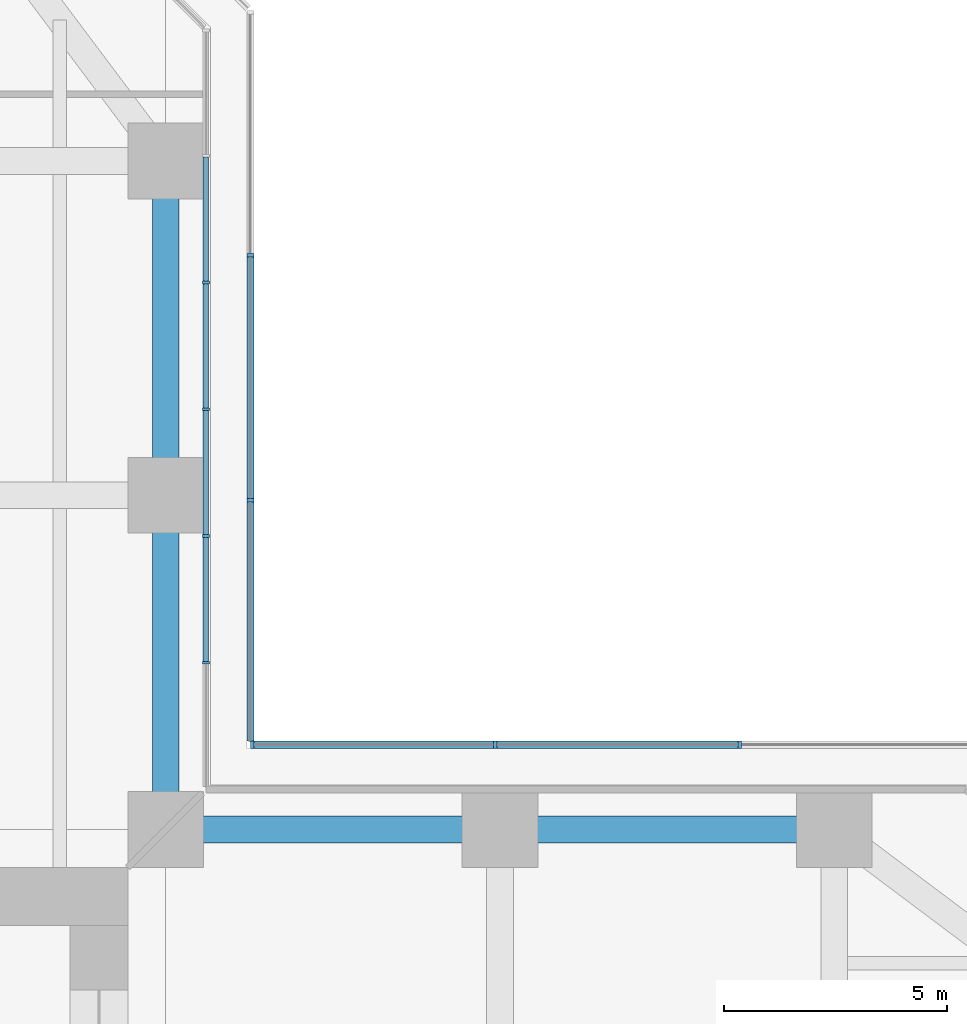
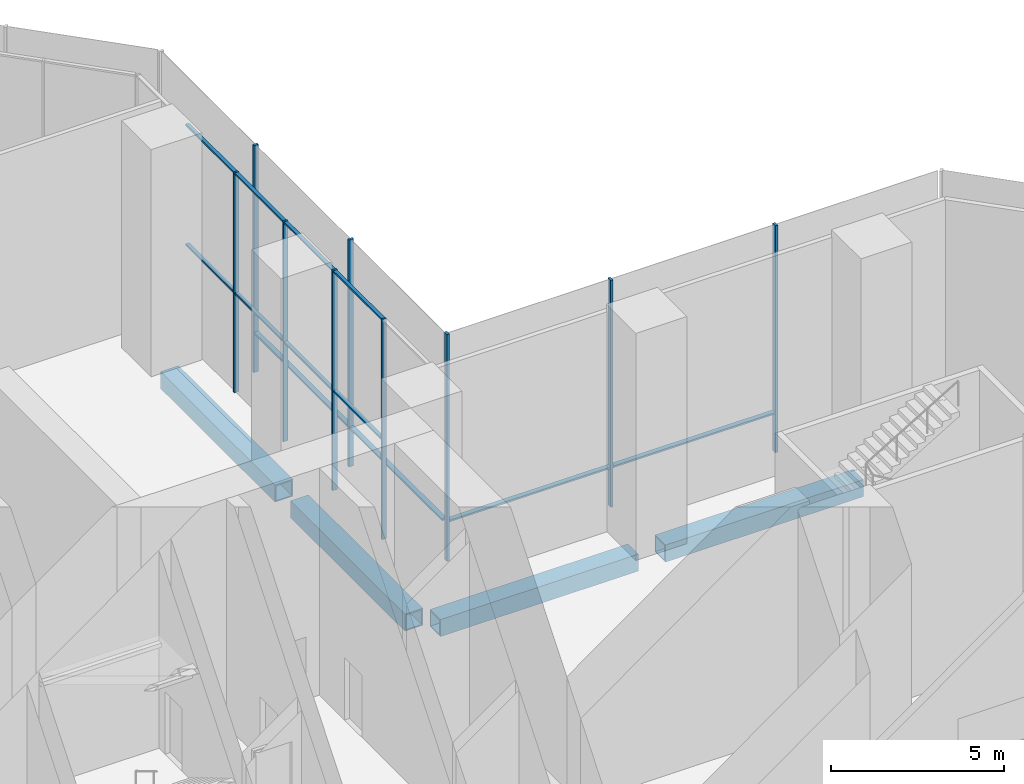
# One storey, part 10 of 25: 21 members, 4 beams, 3 elements without a shape of their own.
"""IFC4 building model written with IfcOpenShell, lengths in metres."""

from ifc_helpers import new_model, si_unit, direction, frame, origin, origin_2d, place, context, subcontext, project, spatial, rectangle, hollow_rectangle, extrude, material, material_profile, profile_set, type_object, element, aggregate, save


model = new_model("IFC4")

# Units and contexts
model_context = context("Model", 3, precision=1e-05, world=origin(), true_north=direction((0.0, 1.0)))
body_context = subcontext(model_context, "Body", "Model", "MODEL_VIEW")
ifc_project = project(units=[si_unit("LENGTHUNIT", "METRE"), si_unit("AREAUNIT", "SQUARE_METRE"), si_unit("VOLUMEUNIT", "CUBIC_METRE"), si_unit("PLANEANGLEUNIT", "RADIAN"), si_unit("MASSUNIT", "GRAM", prefix="KILO")], contexts=[model_context])

# Site, building, storey
site_placement = place(None, origin())
site = spatial("IfcSite", under=ifc_project, at=site_placement, CompositionType="ELEMENT")
building_placement = place(site_placement, origin())
building = spatial("IfcBuilding", under=site, at=building_placement, Name="Mizan Broadcast Tower", CompositionType="ELEMENT")
storey_placement = place(building_placement, frame((0.0, 0.0, 15.0)))
storey = spatial("IfcBuildingStorey", under=building, at=storey_placement, Name="L02", CompositionType="ELEMENT", Elevation=15.0)

# Beams
ifc_material_1 = material(Name="Steel S355", Category="steel")
ifc_material_profile_1 = material_profile(ifc_material_1, hollow_rectangle(XDim=0.60009765625, YDim=0.60009765625, WallThickness=0.0400390625, at=origin_2d()), Name="BOX 600x600x40")
ifc_profile_set_1 = profile_set([ifc_material_profile_1], Name="Steel S355")
beam_type = type_object("IfcBeamType", Name="EDGE BEAM BOX 600x600x40", PredefinedType="SPANDREL", material=ifc_profile_set_1)
for number, where, z_axis, x_axis, name in (
    (1, (12.449951171875, 12.0, -0.550048828125), (1.0, 0.0, 0.0), (0.0, 1.0, 0.0), "Edge beam BOX 600x600x40 L02 east arm"),
    (2, (19.949951171875, 12.0, -0.550048828125), (1.0, 0.0, 0.0), (0.0, 1.0, 0.0), "Edge beam BOX 600x600x40 L02 east arm"),
    (3, (12.0, 12.449951171875, -0.550048828125), (0.0, 1.0, 0.0), (-1.0, 0.0, 0.0), "Edge beam BOX 600x600x40 L02 north arm"),
    (4, (12.0, 19.949951171875, -0.550048828125), (0.0, 1.0, 0.0), (-1.0, 0.0, 0.0), "Edge beam BOX 600x600x40 L02 north arm"),
):
    element("IfcBeam", number, at=place(storey_placement, frame(where, z_axis=z_axis, x_axis=x_axis)), inside=storey, type_object=beam_type, Name=name, PredefinedType="SPANDREL", context=body_context, shape_type="SweptSolid", body=[
        extrude(hollow_rectangle(XDim=0.60009765625, YDim=0.60009765625, WallThickness=0.0400390625, at=origin_2d()), origin(), (0.0, 0.0, 1.0), 6.60009765625),
    ])

# Curtain wall, members
ifc_material_2 = material(Name="Aluminium framed glazing", Category="aluminium")
curtain_wall_type_1 = type_object("IfcCurtainWallType", Name="PODIUM CURTAIN WALL", PredefinedType="USERDEFINED", material=ifc_material_2)
curtain_wall_1_placement = place(storey_placement, origin())
curtain_wall_1 = element("IfcCurtainWall", 5, at=curtain_wall_1_placement, inside=storey, type_object=curtain_wall_type_1, Name="Podium curtain wall L02 N side", ObjectType="PODIUM CURTAIN WALL", PredefinedType="USERDEFINED")
ifc_material_3 = material(Name="Aluminium, pale anodised", Category="aluminium")
ifc_material_profile_2 = material_profile(ifc_material_3, rectangle(XDim=0.159912109375, YDim=0.06005859375, at=origin_2d()), Name="MULLION 160x60")
ifc_profile_set_2 = profile_set([ifc_material_profile_2], Name="Aluminium, pale anodised")
member_type_1 = type_object("IfcMemberType", Name="INNER SKIN MULLION 60x160", PredefinedType="MULLION", material=ifc_profile_set_2)
member_1_placement = place(storey_placement, frame((12.89990234375, 15.7431640625, 0.0), z_axis=(0.0, 0.0, 1.0), x_axis=(-1.0, 0.0, 0.0)))
member_1 = element("IfcMember", 6, at=member_1_placement, type_object=member_type_1, Name="Podium curtain wall L02 N side mullion 2", PredefinedType="MULLION", context=body_context, shape_type="SweptSolid", body=[
    extrude(rectangle(XDim=0.159912109375, YDim=0.06005859375, at=origin_2d()), origin(), (0.0, 0.0, 1.0), 7.75),
])
member_2_placement = place(storey_placement, frame((12.89990234375, 18.586181640625, 0.0), z_axis=(0.0, 0.0, 1.0), x_axis=(-1.0, 0.0, 0.0)))
member_2 = element("IfcMember", 7, at=member_2_placement, type_object=member_type_1, Name="Podium curtain wall L02 N side mullion 3", PredefinedType="MULLION", context=body_context, shape_type="SweptSolid", body=[
    extrude(rectangle(XDim=0.159912109375, YDim=0.06005859375, at=origin_2d()), origin(), (0.0, 0.0, 1.0), 7.75),
])
member_3_placement = place(storey_placement, frame((12.89990234375, 21.42919921875, 0.0), z_axis=(0.0, 0.0, 1.0), x_axis=(-1.0, 0.0, 0.0)))
member_3 = element("IfcMember", 8, at=member_3_placement, type_object=member_type_1, Name="Podium curtain wall L02 N side mullion 4", PredefinedType="MULLION", context=body_context, shape_type="SweptSolid", body=[
    extrude(rectangle(XDim=0.159912109375, YDim=0.06005859375, at=origin_2d()), origin(), (0.0, 0.0, 1.0), 7.75),
])
member_4_placement = place(storey_placement, frame((12.89990234375, 24.2724609375, 0.0), z_axis=(0.0, 0.0, 1.0), x_axis=(-1.0, 0.0, 0.0)))
member_4 = element("IfcMember", 9, at=member_4_placement, type_object=member_type_1, Name="Podium curtain wall L02 N side mullion 5", PredefinedType="MULLION", context=body_context, shape_type="SweptSolid", body=[
    extrude(rectangle(XDim=0.159912109375, YDim=0.06005859375, at=origin_2d()), origin(), (0.0, 0.0, 1.0), 7.75),
])
ifc_material_4 = material(Name="Aluminium, pale anodised", Category="aluminium")
ifc_material_profile_3 = material_profile(ifc_material_4, rectangle(XDim=0.1201171875, YDim=0.06005859375, at=origin_2d()), Name="TRANSOM 120x60")
ifc_profile_set_3 = profile_set([ifc_material_profile_3], Name="Aluminium, pale anodised")
member_type_2 = type_object("IfcMemberType", Name="INNER SKIN TRANSOM 60x120", PredefinedType="USERDEFINED", material=ifc_profile_set_3)
member_5_placement = place(storey_placement, frame((12.89990234375, 15.773193359375, 3.5), z_axis=(0.0, 1.0, 0.0), x_axis=(-1.0, 0.0, 0.0)))
member_5 = element("IfcMember", 10, at=member_5_placement, type_object=member_type_2, Name="Podium curtain wall L02 N side transom 2.1", ObjectType="TRANSOM", PredefinedType="USERDEFINED", context=body_context, shape_type="SweptSolid", body=[
    extrude(rectangle(XDim=0.1201171875, YDim=0.06005859375, at=origin_2d()), origin(), (0.0, 0.0, 1.0), 2.782958984375),
])
member_6_placement = place(storey_placement, frame((12.89990234375, 15.773193359375, 7.719970703125), z_axis=(0.0, 1.0, 0.0), x_axis=(-1.0, 0.0, 0.0)))
member_6 = element("IfcMember", 11, at=member_6_placement, type_object=member_type_2, Name="Podium curtain wall L02 N side transom 2.2", ObjectType="TRANSOM", PredefinedType="USERDEFINED", context=body_context, shape_type="SweptSolid", body=[
    extrude(rectangle(XDim=0.1201171875, YDim=0.06005859375, at=origin_2d()), origin(), (0.0, 0.0, 1.0), 2.782958984375),
])
member_7_placement = place(storey_placement, frame((12.89990234375, 18.6162109375, 3.5), z_axis=(0.0, 1.0, 0.0), x_axis=(-1.0, 0.0, 0.0)))
member_7 = element("IfcMember", 12, at=member_7_placement, type_object=member_type_2, Name="Podium curtain wall L02 N side transom 3.1", ObjectType="TRANSOM", PredefinedType="USERDEFINED", context=body_context, shape_type="SweptSolid", body=[
    extrude(rectangle(XDim=0.1201171875, YDim=0.06005859375, at=origin_2d()), origin(), (0.0, 0.0, 1.0), 2.782958984375),
])
member_8_placement = place(storey_placement, frame((12.89990234375, 18.6162109375, 7.719970703125), z_axis=(0.0, 1.0, 0.0), x_axis=(-1.0, 0.0, 0.0)))
member_8 = element("IfcMember", 13, at=member_8_placement, type_object=member_type_2, Name="Podium curtain wall L02 N side transom 3.2", ObjectType="TRANSOM", PredefinedType="USERDEFINED", context=body_context, shape_type="SweptSolid", body=[
    extrude(rectangle(XDim=0.1201171875, YDim=0.06005859375, at=origin_2d()), origin(), (0.0, 0.0, 1.0), 2.782958984375),
])
member_9_placement = place(storey_placement, frame((12.89990234375, 21.459228515625, 3.5), z_axis=(0.0, 1.0, 0.0), x_axis=(-1.0, 0.0, 0.0)))
member_9 = element("IfcMember", 14, at=member_9_placement, type_object=member_type_2, Name="Podium curtain wall L02 N side transom 4.1", ObjectType="TRANSOM", PredefinedType="USERDEFINED", context=body_context, shape_type="SweptSolid", body=[
    extrude(rectangle(XDim=0.1201171875, YDim=0.06005859375, at=origin_2d()), origin(), (0.0, 0.0, 1.0), 2.783203125),
])
member_10_placement = place(storey_placement, frame((12.89990234375, 21.459228515625, 7.719970703125), z_axis=(0.0, 1.0, 0.0), x_axis=(-1.0, 0.0, 0.0)))
member_10 = element("IfcMember", 15, at=member_10_placement, type_object=member_type_2, Name="Podium curtain wall L02 N side transom 4.2", ObjectType="TRANSOM", PredefinedType="USERDEFINED", context=body_context, shape_type="SweptSolid", body=[
    extrude(rectangle(XDim=0.1201171875, YDim=0.06005859375, at=origin_2d()), origin(), (0.0, 0.0, 1.0), 2.783203125),
])
member_11_placement = place(storey_placement, frame((12.89990234375, 24.302490234375, 3.5), z_axis=(0.0, 1.0, 0.0), x_axis=(-1.0, 0.0, 0.0)))
member_11 = element("IfcMember", 16, at=member_11_placement, type_object=member_type_2, Name="Podium curtain wall L02 N side transom 5.1", ObjectType="TRANSOM", PredefinedType="USERDEFINED", context=body_context, shape_type="SweptSolid", body=[
    extrude(rectangle(XDim=0.1201171875, YDim=0.06005859375, at=origin_2d()), origin(), (0.0, 0.0, 1.0), 2.782958984375),
])
member_12_placement = place(storey_placement, frame((12.89990234375, 24.302490234375, 7.719970703125), z_axis=(0.0, 1.0, 0.0), x_axis=(-1.0, 0.0, 0.0)))
member_12 = element("IfcMember", 17, at=member_12_placement, type_object=member_type_2, Name="Podium curtain wall L02 N side transom 5.2", ObjectType="TRANSOM", PredefinedType="USERDEFINED", context=body_context, shape_type="SweptSolid", body=[
    extrude(rectangle(XDim=0.1201171875, YDim=0.06005859375, at=origin_2d()), origin(), (0.0, 0.0, 1.0), 2.782958984375),
])
aggregate(curtain_wall_1, [member_1, member_2, member_3, member_4, member_5, member_6, member_7, member_8, member_9, member_10, member_11, member_12])

ifc_material_5 = material(Name="Aluminium framed glazing", Category="aluminium")
curtain_wall_type_2 = type_object("IfcCurtainWallType", Name="OUTER SKIN", PredefinedType="USERDEFINED", material=ifc_material_5)
curtain_wall_2_placement = place(storey_placement, origin())
curtain_wall_2 = element("IfcCurtainWall", 18, at=curtain_wall_2_placement, inside=storey, type_object=curtain_wall_type_2, Name="Outer skin L02 E side", ObjectType="OUTER SKIN", PredefinedType="USERDEFINED")
ifc_material_6 = material(Name="Aluminium, pale anodised", Category="aluminium")
ifc_material_profile_4 = material_profile(ifc_material_6, rectangle(XDim=0.159912109375, YDim=0.080078125, at=origin_2d()), Name="MULLION 160x80")
ifc_profile_set_4 = profile_set([ifc_material_profile_4], Name="Aluminium, pale anodised")
member_type_3 = type_object("IfcMemberType", Name="OUTER SKIN MULLION 80x160", PredefinedType="MULLION", material=ifc_profile_set_4)
member_13_placement = place(storey_placement, frame((24.8818359375, 13.89990234375, 0.0), z_axis=(0.0, 0.0, 1.0), x_axis=(0.0, -1.0, 0.0)))
member_13 = element("IfcMember", 19, at=member_13_placement, type_object=member_type_3, Name="Outer skin L02 E side mullion 2", PredefinedType="MULLION", context=body_context, shape_type="SweptSolid", body=[
    extrude(rectangle(XDim=0.159912109375, YDim=0.080078125, at=origin_2d()), origin(), (0.0, 0.0, 1.0), 8.0),
])
member_14_placement = place(storey_placement, frame((19.390869140625, 13.89990234375, 0.0), z_axis=(0.0, 0.0, 1.0), x_axis=(0.0, -1.0, 0.0)))
member_14 = element("IfcMember", 20, at=member_14_placement, type_object=member_type_3, Name="Outer skin L02 E side mullion 3", PredefinedType="MULLION", context=body_context, shape_type="SweptSolid", body=[
    extrude(rectangle(XDim=0.159912109375, YDim=0.080078125, at=origin_2d()), origin(), (0.0, 0.0, 1.0), 8.0),
])
member_15_placement = place(storey_placement, frame((13.93994140625, 13.89990234375, 0.0), z_axis=(0.0, 0.0, 1.0), x_axis=(0.0, -1.0, 0.0)))
member_15 = element("IfcMember", 21, at=member_15_placement, type_object=member_type_3, Name="Outer skin L02 E side mullion 4", PredefinedType="MULLION", context=body_context, shape_type="SweptSolid", body=[
    extrude(rectangle(XDim=0.159912109375, YDim=0.080078125, at=origin_2d()), origin(), (0.0, 0.0, 1.0), 8.0),
])

curtain_wall_3_placement = place(storey_placement, origin())
curtain_wall_3 = element("IfcCurtainWall", 22, at=curtain_wall_3_placement, inside=storey, type_object=curtain_wall_type_2, Name="Outer skin L02 N side", ObjectType="OUTER SKIN", PredefinedType="USERDEFINED")
member_16_placement = place(storey_placement, frame((13.89990234375, 19.390869140625, 0.0), z_axis=(0.0, 0.0, 1.0), x_axis=(-1.0, 0.0, 0.0)))
member_16 = element("IfcMember", 23, at=member_16_placement, type_object=member_type_3, Name="Outer skin L02 N side mullion 2", PredefinedType="MULLION", context=body_context, shape_type="SweptSolid", body=[
    extrude(rectangle(XDim=0.159912109375, YDim=0.080078125, at=origin_2d()), origin(), (0.0, 0.0, 1.0), 8.0),
])
member_17_placement = place(storey_placement, frame((13.89990234375, 24.8818359375, 0.0), z_axis=(0.0, 0.0, 1.0), x_axis=(-1.0, 0.0, 0.0)))
member_17 = element("IfcMember", 24, at=member_17_placement, type_object=member_type_3, Name="Outer skin L02 N side mullion 3", PredefinedType="MULLION", context=body_context, shape_type="SweptSolid", body=[
    extrude(rectangle(XDim=0.159912109375, YDim=0.080078125, at=origin_2d()), origin(), (0.0, 0.0, 1.0), 8.0),
])

# Member
ifc_material_7 = material(Name="Aluminium, pale anodised", Category="aluminium")
ifc_material_profile_5 = material_profile(ifc_material_7, rectangle(XDim=0.159912109375, YDim=0.06005859375, at=origin_2d()), Name="TRANSOM 160x60")
ifc_profile_set_5 = profile_set([ifc_material_profile_5], Name="Aluminium, pale anodised")
member_type_4 = type_object("IfcMemberType", Name="OUTER SKIN TRANSOM 60x160", PredefinedType="USERDEFINED", material=ifc_profile_set_5)
member_18_placement = place(storey_placement, frame((24.841796875, 13.89990234375, 1.39990234375), z_axis=(-1.0, 0.0, 0.0), x_axis=(0.0, -1.0, 0.0)))
member_18 = element("IfcMember", 25, at=member_18_placement, type_object=member_type_4, Name="Outer skin L02 E side transom 2.1", ObjectType="TRANSOM", PredefinedType="USERDEFINED", context=body_context, shape_type="SweptSolid", body=[
    extrude(rectangle(XDim=0.159912109375, YDim=0.06005859375, at=origin_2d()), origin(), (0.0, 0.0, 1.0), 5.410888671875),
])

member_19_placement = place(storey_placement, frame((19.350830078125, 13.89990234375, 1.39990234375), z_axis=(-1.0, 0.0, 0.0), x_axis=(0.0, -1.0, 0.0)))
member_19 = element("IfcMember", 26, at=member_19_placement, type_object=member_type_4, Name="Outer skin L02 E side transom 3.1", ObjectType="TRANSOM", PredefinedType="USERDEFINED", context=body_context, shape_type="SweptSolid", body=[
    extrude(rectangle(XDim=0.159912109375, YDim=0.06005859375, at=origin_2d()), origin(), (0.0, 0.0, 1.0), 5.370849609375),
])

aggregate(curtain_wall_2, [member_13, member_14, member_15, member_18, member_19])

member_20_placement = place(storey_placement, frame((13.89990234375, 13.97998046875, 1.39990234375), z_axis=(0.0, 1.0, 0.0), x_axis=(-1.0, 0.0, 0.0)))
member_20 = element("IfcMember", 27, at=member_20_placement, type_object=member_type_4, Name="Outer skin L02 N side transom 1.1", ObjectType="TRANSOM", PredefinedType="USERDEFINED", context=body_context, shape_type="SweptSolid", body=[
    extrude(rectangle(XDim=0.159912109375, YDim=0.06005859375, at=origin_2d()), origin(), (0.0, 0.0, 1.0), 5.370849609375),
])

member_21_placement = place(storey_placement, frame((13.89990234375, 19.430908203125, 1.39990234375), z_axis=(0.0, 1.0, 0.0), x_axis=(-1.0, 0.0, 0.0)))
member_21 = element("IfcMember", 28, at=member_21_placement, type_object=member_type_4, Name="Outer skin L02 N side transom 2.1", ObjectType="TRANSOM", PredefinedType="USERDEFINED", context=body_context, shape_type="SweptSolid", body=[
    extrude(rectangle(XDim=0.159912109375, YDim=0.06005859375, at=origin_2d()), origin(), (0.0, 0.0, 1.0), 5.410888671875),
])

aggregate(curtain_wall_3, [member_16, member_17, member_20, member_21])

save(model, "model.ifc")
